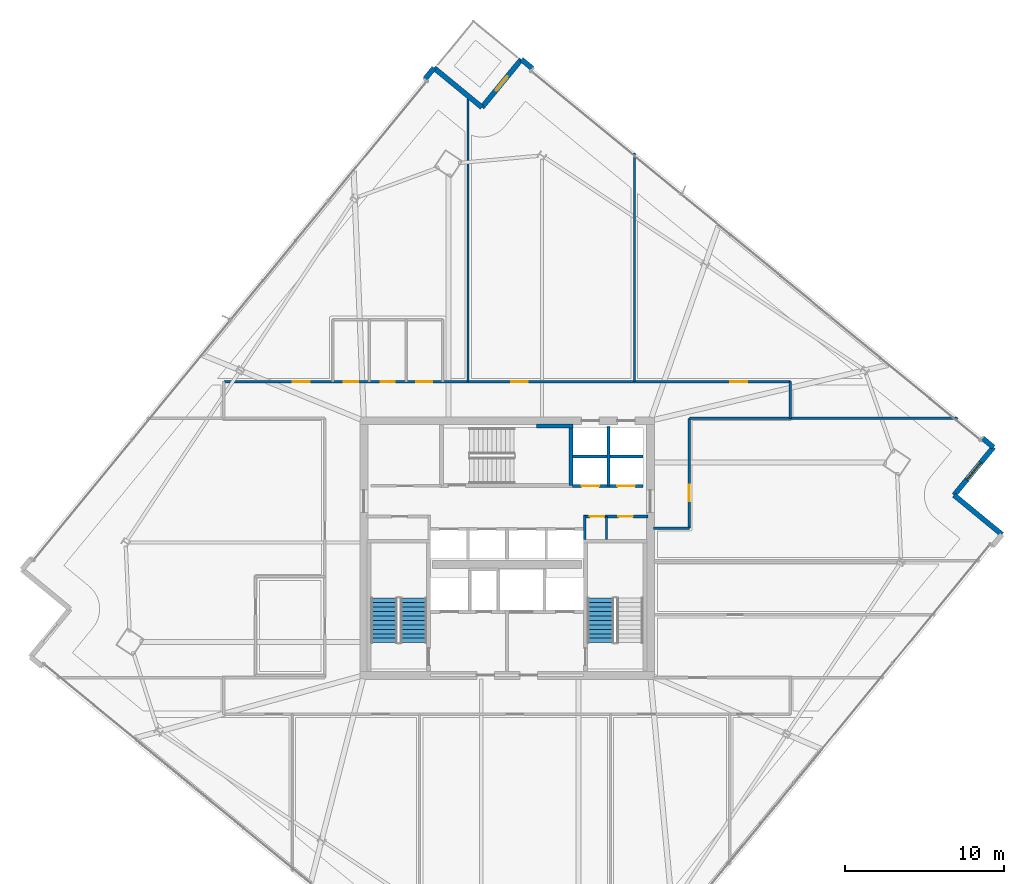
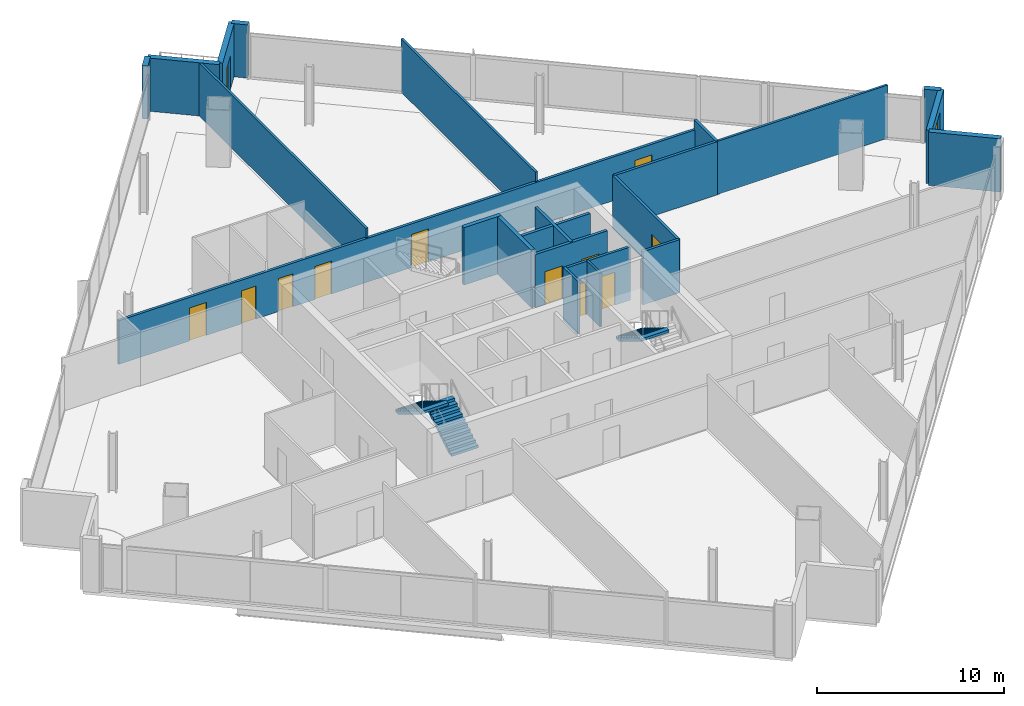
# One storey, part 22 of 28: 23 walls, 12 doors, 3 stair flights, 1 window, 13 openings, 2 elements without a shape of their own.
"""IFC4 building model written with IfcOpenShell, lengths in metres."""

from ifc_helpers import new_model, si_unit, direction, frame, frame_2d, origin, place, context, subcontext, project, spatial, polyline, rectangle, outline, extrude, material, layer, layer_set, type_object, element, fill, aggregate, save


model = new_model("IFC4")

# Units and contexts
model_context = context("Model", 3, precision=1e-05, world=origin(), true_north=direction((0.0, 1.0)))
body_context = subcontext(model_context, "Body", "Model", "MODEL_VIEW")
ifc_project = project(units=[si_unit("LENGTHUNIT", "METRE"), si_unit("AREAUNIT", "SQUARE_METRE"), si_unit("VOLUMEUNIT", "CUBIC_METRE"), si_unit("PLANEANGLEUNIT", "RADIAN"), si_unit("MASSUNIT", "GRAM", prefix="KILO")], contexts=[model_context])

# Site, building, storey
site_placement = place(None, origin())
site = spatial("IfcSite", under=ifc_project, at=site_placement, CompositionType="ELEMENT")
building_placement = place(site_placement, origin())
building = spatial("IfcBuilding", under=site, at=building_placement, Name="Haldenkirk Collegiate Tower", CompositionType="ELEMENT")
storey_placement = place(building_placement, frame((0.0, 0.0, 198.449951171875)))
storey = spatial("IfcBuildingStorey", under=building, at=storey_placement, Name="L49", CompositionType="ELEMENT", Elevation=198.449951171875)

# Wall
ifc_material_1 = material(Name="Precast concrete f'c 40 MPa", Category="concrete")
ifc_layer_1 = layer(ifc_material_1, 0.320068359375)
ifc_layer_set_1 = layer_set([ifc_layer_1], Name="Precast concrete f'c 40 MPa")
wall_type_1 = type_object("IfcWallType", Name="WL-EXT-TWR-320", PredefinedType="STANDARD", material=ifc_layer_set_1)
wall_1_placement = place(storey_placement, frame((64.093994140625, 29.322998046875, 0.0), z_axis=(0.0, 0.0, 1.0), x_axis=(0.77274818591, -0.634712723343, 0.0)))
element("IfcWall", 1, at=wall_1_placement, inside=storey, type_object=wall_type_1, Name="L49 bronze precast notch wall 02", PredefinedType="STANDARD", context=body_context, shape_type="SweptSolid", body=[
    extrude(rectangle(XDim=3.89990234375, YDim=0.320068359375, at=frame_2d((1.949951171875, 0.0))), origin(), (0.0, 0.0, 1.0), 3.469970703125),
])

# Wall, opening, window
wall_2_placement = place(storey_placement, frame((66.569580078125, 32.336669921875, 0.0), z_axis=(0.0, 0.0, 1.0), x_axis=(-0.63475010273, -0.772717482062, 0.0)))
wall_2 = element("IfcWall", 2, at=wall_2_placement, inside=storey, type_object=wall_type_1, Name="L49 bronze precast notch wall 03", PredefinedType="STANDARD", context=body_context, shape_type="SweptSolid", body=[
    extrude(rectangle(XDim=3.900146484375, YDim=0.320068359375, at=frame_2d((1.9501953125, 0.0))), origin(), (0.0, 0.0, 1.0), 3.469970703125),
])
opening_1_placement = place(wall_2_placement, frame((1.25, 0.0, 0.85009765625)))
opening_1 = element("IfcOpeningElement", 3, at=opening_1_placement, cuts=wall_2, Name="Opening W-06", PredefinedType="OPENING", context=body_context, shape_type="SweptSolid", body=[
    extrude(rectangle(XDim=1.39990234375, YDim=2.0, at=frame_2d((0.699951171875, 1.0))), frame((0.0, 0.169921875, 0.0), z_axis=(0.0, -1.0, 0.0), x_axis=(1.0, 0.0, 0.0)), (0.0, 0.0, 1.0), 0.340087890625),
])
ifc_material_2 = material(Name="Low-E argon triple insulating glass", Category="glass")
ifc_layer_2 = layer(ifc_material_2, 0.090087890625)
ifc_layer_set_2 = layer_set([ifc_layer_2], Name="Low-E argon triple insulating glass")
window_type = type_object("IfcWindowType", Name="WN-Z4-1400X2000", PartitioningType="SINGLE_PANEL", PredefinedType="WINDOW", material=ifc_layer_set_2)
window_placement = place(opening_1_placement, origin())
window = element("IfcWindow", 4, at=window_placement, inside=storey, type_object=window_type, Name="L49 precast-frame academic window 2", OverallHeight=2.0, OverallWidth=1.39990234375, PartitioningType="SINGLE_PANEL", PredefinedType="WINDOW", context=body_context, shape_type="SweptSolid", body=[
    extrude(rectangle(XDim=1.39990234375, YDim=2.0, at=frame_2d((0.699951171875, 1.0))), frame((0.0, 0.030029296875, 0.0), z_axis=(0.0, -1.0, 0.0), x_axis=(1.0, 0.0, 0.0)), (0.0, 0.0, 1.0), 0.06005859375),
])
fill(opening_1, window)

# Walls
for number, where, z_axis, x_axis, name in (
    (5, (36.896484375, 56.71044921875, 0.0), (0.0, 0.0, 1.0), (0.772759512761, -0.63469893291, 0.0), "L49 precast corner pier EL"),
    (6, (65.8740234375, 32.907958984375, 0.0), (0.0, 0.0, 1.0), (0.772759512761, -0.63469893291, 0.0), "L49 precast corner pier ER"),
):
    element("IfcWall", number, at=place(storey_placement, frame(where, z_axis=z_axis, x_axis=x_axis)), inside=storey, type_object=wall_type_1, Name=name, PredefinedType="STANDARD", context=body_context, shape_type="SweptSolid", body=[
        extrude(rectangle(XDim=0.900146484375, YDim=0.320068359375, at=frame_2d((0.4501953125, 0.0))), origin(), (0.0, 0.0, 1.0), 3.469970703125),
    ])

# Wall, opening, door
wall_3_placement = place(storey_placement, frame((34.421142578125, 53.69677734375, 0.0), z_axis=(0.0, 0.0, 1.0), x_axis=(0.634712723343, 0.77274818591, 0.0)))
wall_3 = element("IfcWall", 7, at=wall_3_placement, inside=storey, type_object=wall_type_1, Name="L49 bronze precast notch wall 05", PredefinedType="STANDARD", context=body_context, shape_type="SweptSolid", body=[
    extrude(rectangle(XDim=3.89990234375, YDim=0.320068359375, at=frame_2d((1.949951171875, 0.0))), origin(), (0.0, 0.0, 1.0), 3.469970703125),
])
opening_2_placement = place(wall_3_placement, frame((1.375, 0.0, 0.0)))
opening_2 = element("IfcOpeningElement", 8, at=opening_2_placement, cuts=wall_3, Name="Opening D-ST11", PredefinedType="OPENING", context=body_context, shape_type="SweptSolid", body=[
    extrude(rectangle(XDim=1.14990234375, YDim=2.199951171875, at=frame_2d((0.574951171875, 1.10009765625))), frame((0.0, 0.169921875, 0.0), z_axis=(0.0, -1.0, 0.0), x_axis=(1.0, 0.0, 0.0)), (0.0, 0.0, 1.0), 0.340087890625),
])
ifc_material_3 = material(Name="Anodised architectural bronze aluminium", Category="aluminium")
ifc_layer_3 = layer(ifc_material_3, 0.080078125)
ifc_layer_set_3 = layer_set([ifc_layer_3], Name="Anodised architectural bronze aluminium")
door_type_1 = type_object("IfcDoorType", Name="DR-EXT-STER-1150", OperationType="NOTDEFINED", PredefinedType="DOOR", material=ifc_layer_set_3)
door_1_placement = place(opening_2_placement, origin())
door_1 = element("IfcDoor", 9, at=door_1_placement, inside=storey, type_object=door_type_1, Name="L49 spiralling terrace door", OperationType="SINGLE_SWING_RIGHT", OverallHeight=2.199951171875, OverallWidth=1.14990234375, PredefinedType="DOOR", context=body_context, shape_type="SweptSolid", body=[
    extrude(rectangle(XDim=1.14990234375, YDim=2.199951171875, at=frame_2d((0.574951171875, 1.10009765625))), frame((0.0, 0.02490234375, 0.0), z_axis=(0.0, -1.0, 0.0), x_axis=(1.0, 0.0, 0.0)), (0.0, 0.0, 1.0), 0.050048828125),
])
fill(opening_2, door_1)

# Walls
wall_4_placement = place(storey_placement, frame((31.407470703125, 56.172119140625, 0.0), z_axis=(0.0, 0.0, 1.0), x_axis=(0.77274818591, -0.634712723343, 0.0)))
element("IfcWall", 10, at=wall_4_placement, inside=storey, type_object=wall_type_1, Name="L49 bronze precast notch wall 06", PredefinedType="STANDARD", context=body_context, shape_type="SweptSolid", body=[
    extrude(rectangle(XDim=3.89990234375, YDim=0.320068359375, at=frame_2d((1.949951171875, 0.0))), origin(), (0.0, 0.0, 1.0), 3.469970703125),
])
wall_5_placement = place(storey_placement, frame((30.836181640625, 55.4765625, 0.0), z_axis=(0.0, 0.0, 1.0), x_axis=(0.63469893291, 0.772759512761, 0.0)))
element("IfcWall", 11, at=wall_5_placement, inside=storey, type_object=wall_type_1, Name="L49 precast corner pier NR", PredefinedType="STANDARD", context=body_context, shape_type="SweptSolid", body=[
    extrude(rectangle(XDim=0.900146484375, YDim=0.320068359375, at=frame_2d((0.4501953125, 0.0))), origin(), (0.0, 0.0, 1.0), 3.469970703125),
])

# Wall, openings, doors
ifc_material_4 = material(Name="Acoustic fire-rated gypsum partition", Category="concrete")
ifc_layer_4 = layer(ifc_material_4, 0.159912109375)
ifc_layer_set_4 = layer_set([ifc_layer_4], Name="Acoustic fire-rated gypsum partition")
wall_type_2 = type_object("IfcWallType", Name="WL-INT-CORR-160", PredefinedType="PARTITIONING", material=ifc_layer_set_4)
wall_6_placement = place(storey_placement, frame((40.800048828125, 27.97998046875, 0.0), z_axis=(0.0, 0.0, 1.0), x_axis=(1.0, 0.0, 0.0)))
wall_6 = element("IfcWall", 12, at=wall_6_placement, inside=storey, type_object=wall_type_2, Name="L49 interior partition IW-L49-VCSE-N", PredefinedType="PARTITIONING", context=body_context, shape_type="SweptSolid", body=[
    extrude(rectangle(XDim=4.050048828125, YDim=0.159912109375, at=frame_2d((2.02490234375, 0.0))), origin(), (0.0, 0.0, 1.0), 3.469970703125),
])
opening_3_placement = place(wall_6_placement, frame((0.407470703125, 0.0, 0.0)))
opening_3 = element("IfcOpeningElement", 13, at=opening_3_placement, cuts=wall_6, Name="Opening D-11", PredefinedType="OPENING", context=body_context, shape_type="SweptSolid", body=[
    extrude(rectangle(XDim=0.89990234375, YDim=2.14990234375, at=frame_2d((0.449951171875, 1.074951171875))), frame((0.0, 0.08984375, 0.0), z_axis=(0.0, -1.0, 0.0), x_axis=(1.0, 0.0, 0.0)), (0.0, 0.0, 1.0), 0.179931640625),
])
opening_4_placement = place(wall_6_placement, frame((2.199951171875, 0.0, 0.0)))
opening_4 = element("IfcOpeningElement", 14, at=opening_4_placement, cuts=wall_6, Name="Opening D-11", PredefinedType="OPENING", context=body_context, shape_type="SweptSolid", body=[
    extrude(rectangle(XDim=0.89990234375, YDim=2.14990234375, at=frame_2d((0.449951171875, 1.074951171875))), frame((0.0, 0.08984375, 0.0), z_axis=(0.0, -1.0, 0.0), x_axis=(1.0, 0.0, 0.0)), (0.0, 0.0, 1.0), 0.179931640625),
])
ifc_material_5 = material(Name="Solid-core architectural oak fire door", Category="wood")
ifc_layer_5 = layer(ifc_material_5, 0.06005859375)
ifc_layer_set_5 = layer_set([ifc_layer_5], Name="Solid-core architectural oak fire door")
door_type_2 = type_object("IfcDoorType", Name="DR-INT-FD60-900", OperationType="NOTDEFINED", PredefinedType="DOOR", material=ifc_layer_set_5)
door_2_placement = place(opening_3_placement, origin())
door_2 = element("IfcDoor", 15, at=door_2_placement, inside=storey, type_object=door_type_2, Name="L49 core copy room door", OperationType="SINGLE_SWING_LEFT", OverallHeight=2.14990234375, OverallWidth=0.89990234375, PredefinedType="DOOR", context=body_context, shape_type="SweptSolid", body=[
    extrude(rectangle(XDim=0.89990234375, YDim=2.14990234375, at=frame_2d((0.449951171875, 1.074951171875))), frame((0.0, 0.02490234375, 0.0), z_axis=(0.0, -1.0, 0.0), x_axis=(1.0, 0.0, 0.0)), (0.0, 0.0, 1.0), 0.050048828125),
])
fill(opening_3, door_2)
door_3_placement = place(opening_4_placement, origin())
door_3 = element("IfcDoor", 16, at=door_3_placement, inside=storey, type_object=door_type_2, Name="L49 core records store door", OperationType="SINGLE_SWING_RIGHT", OverallHeight=2.14990234375, OverallWidth=0.89990234375, PredefinedType="DOOR", context=body_context, shape_type="SweptSolid", body=[
    extrude(rectangle(XDim=0.89990234375, YDim=2.14990234375, at=frame_2d((0.449951171875, 1.074951171875))), frame((0.0, 0.02490234375, 0.0), z_axis=(0.0, -1.0, 0.0), x_axis=(1.0, 0.0, 0.0)), (0.0, 0.0, 1.0), 0.050048828125),
])
fill(opening_4, door_3)

# Wall
wall_7_placement = place(storey_placement, frame((40.8798828125, 26.5400390625, 0.0), z_axis=(0.0, 0.0, 1.0), x_axis=(0.0, 1.0, 0.0)))
element("IfcWall", 17, at=wall_7_placement, inside=storey, type_object=wall_type_2, Name="L49 interior partition IW-L49-VCSE-W", PredefinedType="PARTITIONING", context=body_context, shape_type="SweptSolid", body=[
    extrude(rectangle(XDim=1.510009765625, YDim=0.159912109375, at=frame_2d((0.7548828125, 0.0))), origin(), (0.0, 0.0, 1.0), 3.469970703125),
])

# Wall, openings, doors
wall_8_placement = place(storey_placement, frame((18.199951171875, 36.449951171875, 0.0), z_axis=(0.0, 0.0, 1.0), x_axis=(1.0, 0.0, 0.0)))
wall_8 = element("IfcWall", 18, at=wall_8_placement, inside=storey, type_object=wall_type_2, Name="L49 interior partition IW-L49-CN", PredefinedType="PARTITIONING", context=body_context, shape_type="SweptSolid", body=[
    extrude(rectangle(XDim=35.60009765625, YDim=0.159912109375, at=frame_2d((17.800048828125, 0.0))), origin(), (0.0, 0.0, 1.0), 2.84912109375),
])
opening_5_placement = place(wall_8_placement, frame((7.550048828125, 0.0, 0.0)))
opening_5 = element("IfcOpeningElement", 19, at=opening_5_placement, cuts=wall_8, Name="Opening D-13", PredefinedType="OPENING", context=body_context, shape_type="SweptSolid", body=[
    extrude(rectangle(XDim=0.89990234375, YDim=2.14990234375, at=frame_2d((0.449951171875, 1.074951171875))), frame((0.0, 0.08984375, 0.0), z_axis=(0.0, -1.0, 0.0), x_axis=(1.0, 0.0, 0.0)), (0.0, 0.0, 1.0), 0.179931640625),
])
opening_6_placement = place(wall_8_placement, frame((9.85009765625, 0.0, 0.0)))
opening_6 = element("IfcOpeningElement", 20, at=opening_6_placement, cuts=wall_8, Name="Opening D-13", PredefinedType="OPENING", context=body_context, shape_type="SweptSolid", body=[
    extrude(rectangle(XDim=0.89990234375, YDim=2.14990234375, at=frame_2d((0.449951171875, 1.074951171875))), frame((0.0, 0.08984375, 0.0), z_axis=(0.0, -1.0, 0.0), x_axis=(1.0, 0.0, 0.0)), (0.0, 0.0, 1.0), 0.179931640625),
])
opening_7_placement = place(wall_8_placement, frame((12.10009765625, 0.0, 0.0)))
opening_7 = element("IfcOpeningElement", 21, at=opening_7_placement, cuts=wall_8, Name="Opening D-14", PredefinedType="OPENING", context=body_context, shape_type="SweptSolid", body=[
    extrude(rectangle(XDim=1.0, YDim=2.14990234375, at=frame_2d((0.5, 1.074951171875))), frame((0.0, 0.08984375, 0.0), z_axis=(0.0, -1.0, 0.0), x_axis=(1.0, 0.0, 0.0)), (0.0, 0.0, 1.0), 0.179931640625),
])
opening_8_placement = place(wall_8_placement, frame((4.344970703125, 0.0, 0.0)))
opening_8 = element("IfcOpeningElement", 22, at=opening_8_placement, cuts=wall_8, Name="Opening D-09", PredefinedType="OPENING", context=body_context, shape_type="SweptSolid", body=[
    extrude(rectangle(XDim=1.050048828125, YDim=2.14990234375, at=frame_2d((0.52490234375, 1.074951171875))), frame((0.0, 0.08984375, 0.0), z_axis=(0.0, -1.0, 0.0), x_axis=(1.0, 0.0, 0.0)), (0.0, 0.0, 1.0), 0.179931640625),
])
opening_9_placement = place(wall_8_placement, frame((18.049072265625, 0.0, 0.0)))
opening_9 = element("IfcOpeningElement", 23, at=opening_9_placement, cuts=wall_8, Name="Opening D-09", PredefinedType="OPENING", context=body_context, shape_type="SweptSolid", body=[
    extrude(rectangle(XDim=1.050048828125, YDim=2.14990234375, at=frame_2d((0.52490234375, 1.074951171875))), frame((0.0, 0.08984375, 0.0), z_axis=(0.0, -1.0, 0.0), x_axis=(1.0, 0.0, 0.0)), (0.0, 0.0, 1.0), 0.179931640625),
])
opening_10_placement = place(wall_8_placement, frame((31.8330078125, 0.0, 0.0)))
opening_10 = element("IfcOpeningElement", 24, at=opening_10_placement, cuts=wall_8, Name="Opening D-09", PredefinedType="OPENING", context=body_context, shape_type="SweptSolid", body=[
    extrude(rectangle(XDim=1.050048828125, YDim=2.14990234375, at=frame_2d((0.52490234375, 1.074951171875))), frame((0.0, 0.08984375, 0.0), z_axis=(0.0, -1.0, 0.0), x_axis=(1.0, 0.0, 0.0)), (0.0, 0.0, 1.0), 0.179931640625),
])
ifc_layer_6 = layer(ifc_material_5, 0.06005859375)
ifc_layer_set_6 = layer_set([ifc_layer_6], Name="Solid-core architectural oak fire door")
door_type_3 = type_object("IfcDoorType", Name="DR-INT-ACC-1000", OperationType="NOTDEFINED", PredefinedType="DOOR", material=ifc_layer_set_6)
door_4_placement = place(opening_7_placement, origin())
door_4 = element("IfcDoor", 25, at=door_4_placement, inside=storey, type_object=door_type_3, Name="L49 Accessible WC door", OperationType="SINGLE_SWING_RIGHT", OverallHeight=2.14990234375, OverallWidth=1.0, PredefinedType="DOOR", context=body_context, shape_type="SweptSolid", body=[
    extrude(rectangle(XDim=1.0, YDim=2.14990234375, at=frame_2d((0.5, 1.074951171875))), frame((0.0, 0.02490234375, 0.0), z_axis=(0.0, -1.0, 0.0), x_axis=(1.0, 0.0, 0.0)), (0.0, 0.0, 1.0), 0.050048828125),
])
fill(opening_7, door_4)
ifc_layer_7 = layer(ifc_material_5, 0.06005859375)
ifc_layer_set_7 = layer_set([ifc_layer_7], Name="Solid-core architectural oak fire door")
door_type_4 = type_object("IfcDoorType", Name="DR-INT-FD60-1050", OperationType="NOTDEFINED", PredefinedType="DOOR", material=ifc_layer_set_7)
door_5_placement = place(opening_8_placement, origin())
door_5 = element("IfcDoor", 26, at=door_5_placement, inside=storey, type_object=door_type_4, Name="L49 Rare Folio Vault 6 door", OperationType="SINGLE_SWING_RIGHT", OverallHeight=2.14990234375, OverallWidth=1.050048828125, PredefinedType="DOOR", context=body_context, shape_type="SweptSolid", body=[
    extrude(rectangle(XDim=1.050048828125, YDim=2.14990234375, at=frame_2d((0.52490234375, 1.074951171875))), frame((0.0, 0.02490234375, 0.0), z_axis=(0.0, -1.0, 0.0), x_axis=(1.0, 0.0, 0.0)), (0.0, 0.0, 1.0), 0.050048828125),
])
fill(opening_8, door_5)
door_6_placement = place(opening_9_placement, origin())
door_6 = element("IfcDoor", 27, at=door_6_placement, inside=storey, type_object=door_type_4, Name="L49 Student Wellness Clinic 7 door", OperationType="SINGLE_SWING_LEFT", OverallHeight=2.14990234375, OverallWidth=1.050048828125, PredefinedType="DOOR", context=body_context, shape_type="SweptSolid", body=[
    extrude(rectangle(XDim=1.050048828125, YDim=2.14990234375, at=frame_2d((0.52490234375, 1.074951171875))), frame((0.0, 0.02490234375, 0.0), z_axis=(0.0, -1.0, 0.0), x_axis=(1.0, 0.0, 0.0)), (0.0, 0.0, 1.0), 0.050048828125),
])
fill(opening_9, door_6)
door_7_placement = place(opening_10_placement, origin())
door_7 = element("IfcDoor", 28, at=door_7_placement, inside=storey, type_object=door_type_4, Name="L49 Ergonomics Clinic 8 door", OperationType="SINGLE_SWING_RIGHT", OverallHeight=2.14990234375, OverallWidth=1.050048828125, PredefinedType="DOOR", context=body_context, shape_type="SweptSolid", body=[
    extrude(rectangle(XDim=1.050048828125, YDim=2.14990234375, at=frame_2d((0.52490234375, 1.074951171875))), frame((0.0, 0.02490234375, 0.0), z_axis=(0.0, -1.0, 0.0), x_axis=(1.0, 0.0, 0.0)), (0.0, 0.0, 1.0), 0.050048828125),
])
fill(opening_10, door_7)
ifc_layer_8 = layer(ifc_material_5, 0.06005859375)
ifc_layer_set_8 = layer_set([ifc_layer_8], Name="Solid-core architectural oak fire door")
door_type_5 = type_object("IfcDoorType", Name="DR-INT-STD-900", OperationType="NOTDEFINED", PredefinedType="DOOR", material=ifc_layer_set_8)
door_8_placement = place(opening_5_placement, origin())
door_8 = element("IfcDoor", 29, at=door_8_placement, inside=storey, type_object=door_type_5, Name="L49 Male WC door", OperationType="SINGLE_SWING_RIGHT", OverallHeight=2.14990234375, OverallWidth=0.89990234375, PredefinedType="DOOR", context=body_context, shape_type="SweptSolid", body=[
    extrude(rectangle(XDim=0.89990234375, YDim=2.14990234375, at=frame_2d((0.449951171875, 1.074951171875))), frame((0.0, 0.02490234375, 0.0), z_axis=(0.0, -1.0, 0.0), x_axis=(1.0, 0.0, 0.0)), (0.0, 0.0, 1.0), 0.050048828125),
])
fill(opening_5, door_8)
door_9_placement = place(opening_6_placement, origin())
door_9 = element("IfcDoor", 30, at=door_9_placement, inside=storey, type_object=door_type_5, Name="L49 Female WC door", OperationType="SINGLE_SWING_LEFT", OverallHeight=2.14990234375, OverallWidth=0.89990234375, PredefinedType="DOOR", context=body_context, shape_type="SweptSolid", body=[
    extrude(rectangle(XDim=0.89990234375, YDim=2.14990234375, at=frame_2d((0.449951171875, 1.074951171875))), frame((0.0, 0.02490234375, 0.0), z_axis=(0.0, -1.0, 0.0), x_axis=(1.0, 0.0, 0.0)), (0.0, 0.0, 1.0), 0.050048828125),
])
fill(opening_6, door_9)

# Wall
wall_9_placement = place(storey_placement, frame((47.449951171875, 34.14990234375, 0.0), z_axis=(0.0, 0.0, 1.0), x_axis=(1.0, 0.0, 0.0)))
element("IfcWall", 31, at=wall_9_placement, inside=storey, type_object=wall_type_2, Name="L49 interior partition IW-L49-CNE", PredefinedType="PARTITIONING", context=body_context, shape_type="SweptSolid", body=[
    extrude(rectangle(XDim=6.35009765625, YDim=0.159912109375, at=frame_2d((3.175048828125, 0.0))), origin(), (0.0, 0.0, 1.0), 3.469970703125),
])

# Wall, opening, door
wall_10_placement = place(storey_placement, frame((47.449951171875, 27.25, 0.0), z_axis=(0.0, 0.0, 1.0), x_axis=(0.0, 1.0, 0.0)))
wall_10 = element("IfcWall", 32, at=wall_10_placement, inside=storey, type_object=wall_type_2, Name="L49 interior partition IW-L49-CE", PredefinedType="PARTITIONING", context=body_context, shape_type="SweptSolid", body=[
    extrude(rectangle(XDim=6.89990234375, YDim=0.159912109375, at=frame_2d((3.449951171875, 0.0))), origin(), (0.0, 0.0, 1.0), 3.469970703125),
])
opening_11_placement = place(wall_10_placement, frame((1.68310546875, 0.0, 0.0)))
opening_11 = element("IfcOpeningElement", 33, at=opening_11_placement, cuts=wall_10, Name="Opening D-09", PredefinedType="OPENING", context=body_context, shape_type="SweptSolid", body=[
    extrude(rectangle(XDim=1.050048828125, YDim=2.14990234375, at=frame_2d((0.52490234375, 1.074951171875))), frame((0.0, 0.08984375, 0.0), z_axis=(0.0, -1.0, 0.0), x_axis=(1.0, 0.0, 0.0)), (0.0, 0.0, 1.0), 0.179931640625),
])
door_10_placement = place(opening_11_placement, origin())
door_10 = element("IfcDoor", 34, at=door_10_placement, inside=storey, type_object=door_type_4, Name="L49 Rare Folio Vault 12 door", OperationType="SINGLE_SWING_RIGHT", OverallHeight=2.14990234375, OverallWidth=1.050048828125, PredefinedType="DOOR", context=body_context, shape_type="SweptSolid", body=[
    extrude(rectangle(XDim=1.050048828125, YDim=2.14990234375, at=frame_2d((0.52490234375, 1.074951171875))), frame((0.0, 0.02490234375, 0.0), z_axis=(0.0, -1.0, 0.0), x_axis=(1.0, 0.0, 0.0)), (0.0, 0.0, 1.0), 0.050048828125),
])
fill(opening_11, door_10)

# Walls
wall_11_placement = place(storey_placement, frame((45.199951171875, 27.25, 0.0), z_axis=(0.0, 0.0, 1.0), x_axis=(1.0, 0.0, 0.0)))
element("IfcWall", 35, at=wall_11_placement, inside=storey, type_object=wall_type_2, Name="L49 interior partition IW-L49-CES", PredefinedType="PARTITIONING", context=body_context, shape_type="SweptSolid", body=[
    extrude(rectangle(XDim=2.25, YDim=0.159912109375, at=frame_2d((1.125, 0.0))), origin(), (0.0, 0.0, 1.0), 3.469970703125),
])
wall_12_placement = place(storey_placement, frame((53.800048828125, 34.14990234375, 0.0), z_axis=(0.0, 0.0, 1.0), x_axis=(0.0, 1.0, 0.0)))
element("IfcWall", 36, at=wall_12_placement, inside=storey, type_object=wall_type_2, Name="L49 interior partition IW-L49-CNR", PredefinedType="PARTITIONING", context=body_context, shape_type="SweptSolid", body=[
    extrude(rectangle(XDim=2.300048828125, YDim=0.159912109375, at=frame_2d((1.14990234375, 0.0))), origin(), (0.0, 0.0, 1.0), 3.469970703125),
])
ifc_layer_9 = layer(ifc_material_4, 0.139892578125)
ifc_layer_set_9 = layer_set([ifc_layer_9], Name="Acoustic fire-rated gypsum partition")
wall_type_3 = type_object("IfcWallType", Name="WL-INT-DIV-140", PredefinedType="PARTITIONING", material=ifc_layer_set_9)
wall_13_placement = place(storey_placement, frame((53.800048828125, 34.14990234375, 0.0), z_axis=(0.0, 0.0, 1.0), x_axis=(1.0, 0.0, 0.0)))
element("IfcWall", 37, at=wall_13_placement, inside=storey, type_object=wall_type_3, Name="L49 interior partition IW-L49-BEN", PredefinedType="PARTITIONING", context=body_context, shape_type="SweptSolid", body=[
    extrude(rectangle(XDim=10.498779296875, YDim=0.139892578125, at=frame_2d((5.24951171875, 0.0))), origin(), (0.0, 0.0, 1.0), 3.469970703125),
])
wall_14_placement = place(storey_placement, frame((33.550048828125, 36.449951171875, 0.0), z_axis=(0.0, 0.0, 1.0), x_axis=(0.0, 1.0, 0.0)))
element("IfcWall", 38, at=wall_14_placement, inside=storey, type_object=wall_type_3, Name="L49 interior partition IW-L49-RN1", PredefinedType="PARTITIONING", context=body_context, shape_type="SweptSolid", body=[
    extrude(rectangle(XDim=17.91064453125, YDim=0.139892578125, at=frame_2d((8.955322265625, 0.0))), origin(), (0.0, 0.0, 1.0), 3.469970703125),
])
wall_15_placement = place(storey_placement, frame((44.0, 36.449951171875, 0.0), z_axis=(0.0, 0.0, 1.0), x_axis=(0.0, 1.0, 0.0)))
element("IfcWall", 39, at=wall_15_placement, inside=storey, type_object=wall_type_3, Name="L49 interior partition IW-L49-RN2", PredefinedType="PARTITIONING", context=body_context, shape_type="SweptSolid", body=[
    extrude(rectangle(XDim=14.373779296875, YDim=0.139892578125, at=frame_2d((7.18701171875, 0.0))), origin(), (0.0, 0.0, 1.0), 3.469970703125),
])

# Wall, openings, doors
ifc_material_6 = material(Name="Fire-rated gypsum shaftboard assembly", Category="concrete")
ifc_layer_10 = layer(ifc_material_6, 0.179931640625)
ifc_layer_set_10 = layer_set([ifc_layer_10], Name="Fire-rated gypsum shaftboard assembly")
wall_type_4 = type_object("IfcWallType", Name="WL-INT-SHAFT-180", PredefinedType="PARTITIONING", material=ifc_layer_set_10)
wall_16_placement = place(storey_placement, frame((40.1201171875, 29.89990234375, 0.0), z_axis=(0.0, 0.0, 1.0), x_axis=(1.0, 0.0, 0.0)))
wall_16 = element("IfcWall", 40, at=wall_16_placement, inside=storey, type_object=wall_type_4, Name="L49 interior partition IW-L49-PMS", PredefinedType="PARTITIONING", context=body_context, shape_type="SweptSolid", body=[
    extrude(rectangle(XDim=4.429931640625, YDim=0.179931640625, at=frame_2d((2.21484375, 0.0))), origin(), (0.0, 0.0, 1.0), 3.469970703125),
])
opening_12_placement = place(wall_16_placement, frame((0.56494140625, 0.0, 0.0)))
opening_12 = element("IfcOpeningElement", 41, at=opening_12_placement, cuts=wall_16, Name="Opening LD-11", PredefinedType="OPENING", context=body_context, shape_type="SweptSolid", body=[
    extrude(rectangle(XDim=1.10009765625, YDim=2.14990234375, at=frame_2d((0.550048828125, 1.074951171875))), frame((0.0, 0.099853515625, 0.0), z_axis=(0.0, -1.0, 0.0), x_axis=(1.0, 0.0, 0.0)), (0.0, 0.0, 1.0), 0.199951171875),
])
opening_13_placement = place(wall_16_placement, frame((2.81494140625, 0.0, 0.0)))
opening_13 = element("IfcOpeningElement", 42, at=opening_13_placement, cuts=wall_16, Name="Opening LD-11", PredefinedType="OPENING", context=body_context, shape_type="SweptSolid", body=[
    extrude(rectangle(XDim=1.10009765625, YDim=2.14990234375, at=frame_2d((0.550048828125, 1.074951171875))), frame((0.0, 0.099853515625, 0.0), z_axis=(0.0, -1.0, 0.0), x_axis=(1.0, 0.0, 0.0)), (0.0, 0.0, 1.0), 0.199951171875),
])
ifc_material_7 = material(Name="Brushed architectural stainless steel", Category="steel")
ifc_layer_11 = layer(ifc_material_7, 0.06005859375)
ifc_layer_set_11 = layer_set([ifc_layer_11], Name="Brushed architectural stainless steel")
door_type_6 = type_object("IfcDoorType", Name="LD-PASS-1100", OperationType="NOTDEFINED", PredefinedType="DOOR", material=ifc_layer_set_11)
door_11_placement = place(opening_12_placement, origin())
door_11 = element("IfcDoor", 43, at=door_11_placement, inside=storey, type_object=door_type_6, Name="L49 Elevator PM1 sliding landing door", OperationType="SLIDING_TO_LEFT", OverallHeight=2.14990234375, OverallWidth=1.10009765625, PredefinedType="DOOR", context=body_context, shape_type="SweptSolid", body=[
    extrude(rectangle(XDim=1.10009765625, YDim=2.14990234375, at=frame_2d((0.550048828125, 1.074951171875))), frame((0.0, 0.02490234375, 0.0), z_axis=(0.0, -1.0, 0.0), x_axis=(1.0, 0.0, 0.0)), (0.0, 0.0, 1.0), 0.050048828125),
])
fill(opening_12, door_11)
door_12_placement = place(opening_13_placement, origin())
door_12 = element("IfcDoor", 44, at=door_12_placement, inside=storey, type_object=door_type_6, Name="L49 Elevator PM2 sliding landing door", OperationType="SLIDING_TO_LEFT", OverallHeight=2.14990234375, OverallWidth=1.10009765625, PredefinedType="DOOR", context=body_context, shape_type="SweptSolid", body=[
    extrude(rectangle(XDim=1.10009765625, YDim=2.14990234375, at=frame_2d((0.550048828125, 1.074951171875))), frame((0.0, 0.02490234375, 0.0), z_axis=(0.0, -1.0, 0.0), x_axis=(1.0, 0.0, 0.0)), (0.0, 0.0, 1.0), 0.050048828125),
])
fill(opening_13, door_12)

# Walls
wall_17_placement = place(storey_placement, frame((40.1201171875, 31.75, 0.0), z_axis=(0.0, 0.0, 1.0), x_axis=(1.0, 0.0, 0.0)))
element("IfcWall", 45, at=wall_17_placement, inside=storey, type_object=wall_type_4, Name="L49 interior partition IW-L49-PMM", PredefinedType="PARTITIONING", context=body_context, shape_type="SweptSolid", body=[
    extrude(rectangle(XDim=4.429931640625, YDim=0.179931640625, at=frame_2d((2.21484375, 0.0))), origin(), (0.0, 0.0, 1.0), 3.469970703125),
])
wall_18_placement = place(storey_placement, frame((42.3701171875, 29.89990234375, 0.0), z_axis=(0.0, 0.0, 1.0), x_axis=(0.0, 1.0, 0.0)))
element("IfcWall", 46, at=wall_18_placement, inside=storey, type_object=wall_type_4, Name="L49 interior partition IW-L49-PMV", PredefinedType="PARTITIONING", context=body_context, shape_type="SweptSolid", body=[
    extrude(rectangle(XDim=3.75, YDim=0.179931640625, at=frame_2d((1.875, 0.0))), origin(), (0.0, 0.0, 1.0), 3.469970703125),
])
ifc_layer_12 = layer(ifc_material_4, 0.1201171875)
ifc_layer_set_12 = layer_set([ifc_layer_12], Name="Acoustic fire-rated gypsum partition")
wall_type_5 = type_object("IfcWallType", Name="WL-INT-WET-120", PredefinedType="PARTITIONING", material=ifc_layer_set_12)
wall_19_placement = place(storey_placement, frame((42.25, 26.5400390625, 0.0), z_axis=(0.0, 0.0, 1.0), x_axis=(0.0, 1.0, 0.0)))
element("IfcWall", 47, at=wall_19_placement, inside=storey, type_object=wall_type_5, Name="L49 interior partition IW-L49-VCSE-M", PredefinedType="PARTITIONING", context=body_context, shape_type="SweptSolid", body=[
    extrude(rectangle(XDim=1.43994140625, YDim=0.1201171875, at=frame_2d((0.719970703125, 0.0))), origin(), (0.0, 0.0, 1.0), 3.469970703125),
])
ifc_material_8 = material(Name="Concrete f'c 55 MPa", Category="concrete")
ifc_layer_13 = layer(ifc_material_8, 0.239990234375)
ifc_layer_set_13 = layer_set([ifc_layer_13], Name="Concrete f'c 55 MPa")
wall_type_6 = type_object("IfcWallType", Name="WL-SHAFT-240", PredefinedType="SHEAR", material=ifc_layer_set_13)
wall_20_placement = place(storey_placement, frame((40.02001953125, 29.929931640625, 0.0), z_axis=(0.0, 0.0, 1.0), x_axis=(0.0, 1.0, 0.0)))
element("IfcWall", 48, at=wall_20_placement, inside=storey, type_object=wall_type_6, Name="L49 stair shaft shear wall SW-L49-ST3E", PredefinedType="SHEAR", context=body_context, shape_type="SweptSolid", body=[
    extrude(rectangle(XDim=3.85009765625, YDim=0.239990234375, at=frame_2d((1.925048828125, 0.0))), origin(), (0.0, 0.0, 1.0), 3.75),
])
wall_21_placement = place(storey_placement, frame((37.85009765625, 33.659912109375, 0.0), z_axis=(0.0, 0.0, 1.0), x_axis=(1.0, 0.0, 0.0)))
element("IfcWall", 49, at=wall_21_placement, inside=storey, type_object=wall_type_6, Name="L49 stair shaft shear wall SW-L49-ST3N", PredefinedType="SHEAR", context=body_context, shape_type="SweptSolid", body=[
    extrude(rectangle(XDim=2.289794921875, YDim=0.239990234375, at=frame_2d((1.14501953125, 0.0))), origin(), (0.0, 0.0, 1.0), 3.75),
])

# Stair, stair flights
ifc_material_9 = material(Name="Concrete f'c 40 MPa", Category="concrete")
stair_type = type_object("IfcStairType", Name="STR-DOGLEG-1650", PredefinedType="HALF_TURN_STAIR", material=ifc_material_9)
stair_1_placement = place(storey_placement, origin())
stair_1 = element("IfcStair", 50, at=stair_1_placement, inside=storey, type_object=stair_type, Name="L49 Core Exit Stair ST-1", PredefinedType="HALF_TURN_STAIR")
stair_flight_type = type_object("IfcStairFlightType", Name="STF-FLIGHT-1650", PredefinedType="STRAIGHT", material=ifc_material_9)
stair_flight_1_placement = place(storey_placement, frame((30.125, 20.050048828125, 0.0), z_axis=(0.0, 0.0, 1.0), x_axis=(0.0, 1.0, 0.0)))
stair_flight_1 = element("IfcStairFlight", 51, at=stair_flight_1_placement, type_object=stair_flight_type, Name="ST-1 flight 1", NumberOfRisers=11, NumberOfTreads=10, PredefinedType="STRAIGHT", RiserHeight=0.170454545, TreadLength=0.28, context=body_context, shape_type="SweptSolid", body=[
    extrude(outline(polyline([(0.0, 0.0), (0.0, 0.17041015625), (0.280029296875, 0.17041015625), (0.280029296875, 0.3408203125), (0.56005859375, 0.3408203125), (0.56005859375, 0.511474609375), (0.840087890625, 0.511474609375), (0.840087890625, 0.681884765625), (1.1201171875, 0.681884765625), (1.1201171875, 0.852294921875), (1.39990234375, 0.852294921875), (1.39990234375, 1.022705078125), (1.679931640625, 1.022705078125), (1.679931640625, 1.193115234375), (1.9599609375, 1.193115234375), (1.9599609375, 1.363525390625), (2.239990234375, 1.363525390625), (2.239990234375, 1.5341796875), (2.52001953125, 1.5341796875), (2.52001953125, 1.70458984375), (2.800048828125, 1.70458984375), (2.800048828125, 1.875), (2.800048828125, 1.529052734375), (0.288330078125, 0.0), (0.0, 0.0)])), frame((0.0, 0.824951171875, 0.0), z_axis=(0.0, -1.0, 0.0), x_axis=(1.0, 0.0, 0.0)), (0.0, 0.0, 1.0), 1.64990234375),
])
stair_flight_2_placement = place(storey_placement, frame((28.27490234375, 22.85009765625, 1.875), z_axis=(0.0, 0.0, 1.0), x_axis=(0.0, -1.0, 0.0)))
stair_flight_2 = element("IfcStairFlight", 52, at=stair_flight_2_placement, type_object=stair_flight_type, Name="ST-1 flight 2", NumberOfRisers=11, NumberOfTreads=10, PredefinedType="STRAIGHT", RiserHeight=0.170454545, TreadLength=0.28, context=body_context, shape_type="SweptSolid", body=[
    extrude(outline(polyline([(0.0, 0.0), (0.0, 0.17041015625), (0.280029296875, 0.17041015625), (0.280029296875, 0.3408203125), (0.56005859375, 0.3408203125), (0.56005859375, 0.511474609375), (0.840087890625, 0.511474609375), (0.840087890625, 0.681884765625), (1.1201171875, 0.681884765625), (1.1201171875, 0.852294921875), (1.39990234375, 0.852294921875), (1.39990234375, 1.022705078125), (1.679931640625, 1.022705078125), (1.679931640625, 1.193115234375), (1.9599609375, 1.193115234375), (1.9599609375, 1.363525390625), (2.239990234375, 1.363525390625), (2.239990234375, 1.5341796875), (2.52001953125, 1.5341796875), (2.52001953125, 1.70458984375), (2.800048828125, 1.70458984375), (2.800048828125, 1.875), (2.800048828125, 1.529052734375), (0.288330078125, 0.0), (0.0, 0.0)])), frame((0.0, 0.824951171875, 0.0), z_axis=(0.0, -1.0, 0.0), x_axis=(1.0, 0.0, 0.0)), (0.0, 0.0, 1.0), 1.64990234375),
])
aggregate(stair_1, [stair_flight_1, stair_flight_2])

# Stair, stair flight
stair_2_placement = place(storey_placement, origin())
stair_2 = element("IfcStair", 53, at=stair_2_placement, inside=storey, type_object=stair_type, Name="L49 Core Exit Stair ST-2", PredefinedType="HALF_TURN_STAIR")
stair_flight_3_placement = place(storey_placement, frame((41.875, 22.85009765625, 1.875), z_axis=(0.0, 0.0, 1.0), x_axis=(0.0, -1.0, 0.0)))
stair_flight_3 = element("IfcStairFlight", 54, at=stair_flight_3_placement, type_object=stair_flight_type, Name="ST-2 flight 2", NumberOfRisers=11, NumberOfTreads=10, PredefinedType="STRAIGHT", RiserHeight=0.170454545, TreadLength=0.28, context=body_context, shape_type="SweptSolid", body=[
    extrude(outline(polyline([(0.0, 0.0), (0.0, 0.17041015625), (0.280029296875, 0.17041015625), (0.280029296875, 0.3408203125), (0.56005859375, 0.3408203125), (0.56005859375, 0.511474609375), (0.840087890625, 0.511474609375), (0.840087890625, 0.681884765625), (1.1201171875, 0.681884765625), (1.1201171875, 0.852294921875), (1.39990234375, 0.852294921875), (1.39990234375, 1.022705078125), (1.679931640625, 1.022705078125), (1.679931640625, 1.193115234375), (1.9599609375, 1.193115234375), (1.9599609375, 1.363525390625), (2.239990234375, 1.363525390625), (2.239990234375, 1.5341796875), (2.52001953125, 1.5341796875), (2.52001953125, 1.70458984375), (2.800048828125, 1.70458984375), (2.800048828125, 1.875), (2.800048828125, 1.529052734375), (0.288330078125, 0.0), (0.0, 0.0)])), frame((0.0, 0.824951171875, 0.0), z_axis=(0.0, -1.0, 0.0), x_axis=(1.0, 0.0, 0.0)), (0.0, 0.0, 1.0), 1.64990234375),
])
aggregate(stair_2, [stair_flight_3])

save(model, "model.ifc")
